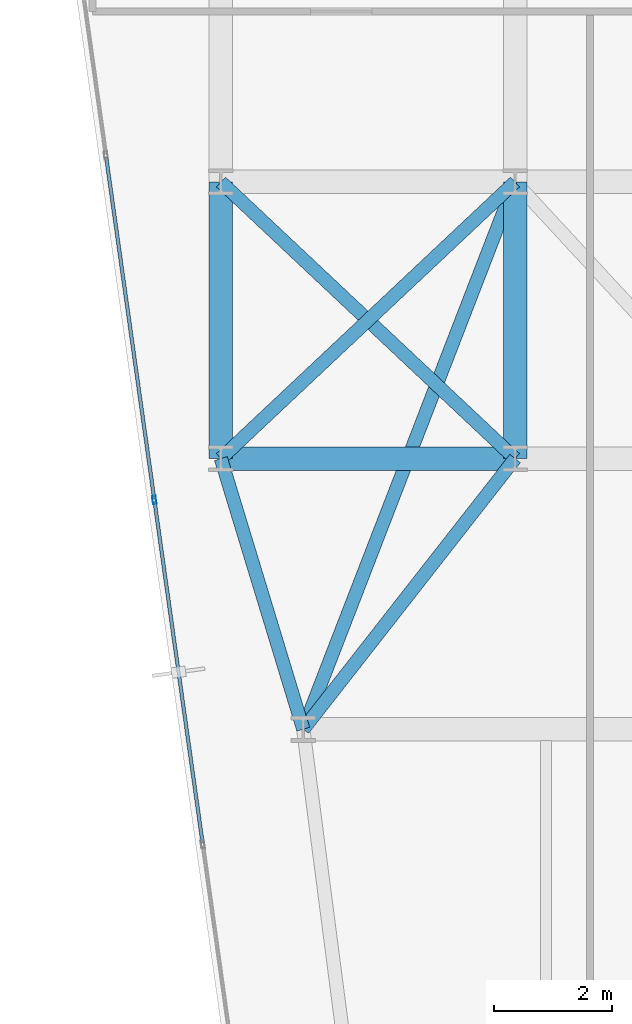
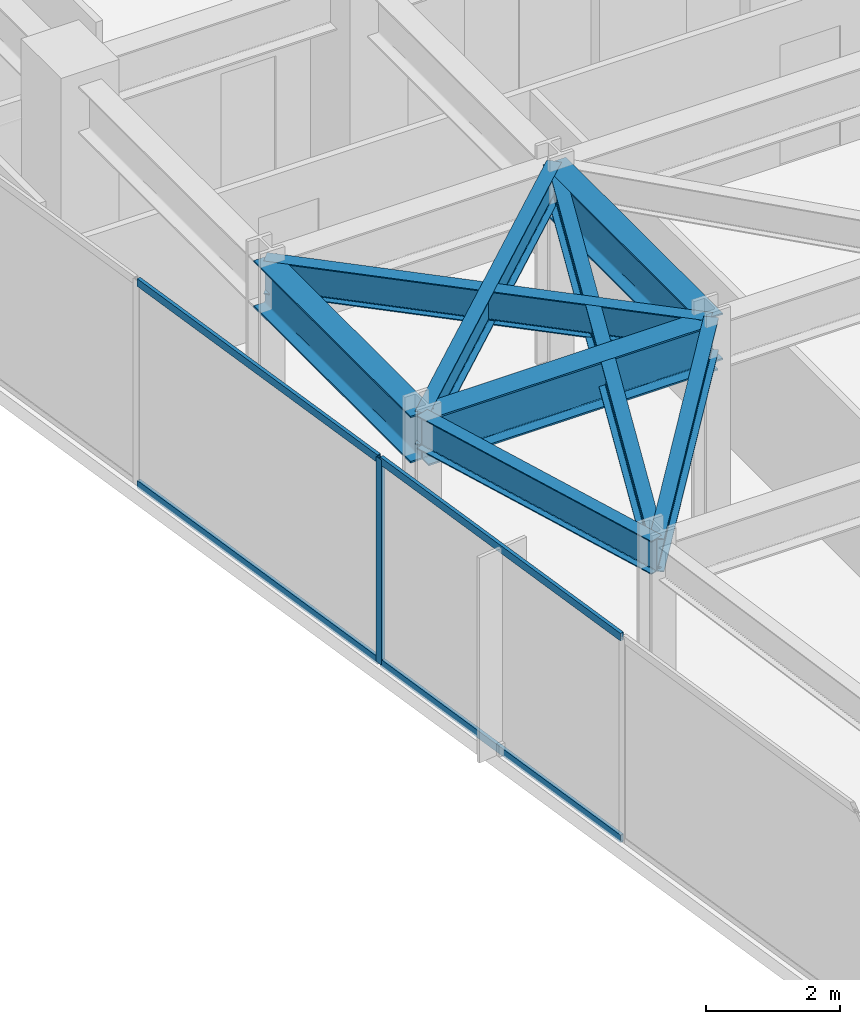
# One storey, part 9 of 26: 8 beams, 5 members, 1 element without a shape of its own.
"""IFC4 building model written with IfcOpenShell, lengths in metres."""

from ifc_helpers import new_model, si_unit, direction, frame, origin, origin_2d, place, context, subcontext, project, spatial, hollow_rectangle, i_section, extrude, material, layer, layer_set, material_profile, profile_set, type_object, element, aggregate, save


model = new_model("IFC4")

# Units and contexts
model_context = context("Model", 3, precision=1e-05, world=origin(), true_north=direction((0.0, 1.0)))
body_context = subcontext(model_context, "Body", "Model", "MODEL_VIEW")
ifc_project = project(units=[si_unit("LENGTHUNIT", "METRE"), si_unit("AREAUNIT", "SQUARE_METRE"), si_unit("VOLUMEUNIT", "CUBIC_METRE"), si_unit("PLANEANGLEUNIT", "RADIAN"), si_unit("MASSUNIT", "GRAM", prefix="KILO")], contexts=[model_context])

# Site, building, storey
site_placement = place(None, origin())
site = spatial("IfcSite", under=ifc_project, at=site_placement, CompositionType="ELEMENT")
building_placement = place(site_placement, origin())
building = spatial("IfcBuilding", under=site, at=building_placement, Name="Kravanh Interchange Tower", CompositionType="ELEMENT")
storey_placement = place(building_placement, frame((0.0, 0.0, 132.0)))
storey = spatial("IfcBuildingStorey", under=building, at=storey_placement, Name="L31", CompositionType="ELEMENT", Elevation=132.0)

# Curtain wall, members
ifc_material_1 = material(Name="Anodised Bronze Aluminium", Category="aluminium")
ifc_layer = layer(ifc_material_1, 0.179931640625)
ifc_layer_set = layer_set([ifc_layer], Name="Unitised Curtain Wall System CW-Z2 Mid Office")
curtain_wall_type = type_object("IfcCurtainWallType", Name="Unitised Curtain Wall System CW-Z2 Mid Office", PredefinedType="NOTDEFINED", material=ifc_layer_set)
curtain_wall_placement = place(storey_placement, origin())
curtain_wall = element("IfcCurtainWall", 1, at=curtain_wall_placement, inside=storey, type_object=curtain_wall_type, Name="L31 Unitised Curtain Wall CW-L31-01", PredefinedType="NOTDEFINED")
ifc_material_2 = material(Name="Anodised Bronze Aluminium", Category="aluminium")
ifc_material_profile_1 = material_profile(ifc_material_2, hollow_rectangle(XDim=0.06005859375, YDim=0.139892578125, WallThickness=0.00390625, at=origin_2d()), Name="ALU60X140X4")
ifc_profile_set_1 = profile_set([ifc_material_profile_1], Name="Anodised Bronze Aluminium")
member_type_1 = type_object("IfcMemberType", Name="Curtain Wall Mullion ALU60X140X4 Bronze", PredefinedType="MULLION", material=ifc_profile_set_1)
member_1_placement = place(storey_placement, frame((12.469970703125, 26.095458984375, 0.0), z_axis=(0.0, 0.0, 1.0), x_axis=(-0.990268103846, -0.13917285118, 0.0)))
member_1 = element("IfcMember", 2, at=member_1_placement, type_object=member_type_1, Name="CW-Z2 mullion 4", PredefinedType="MULLION", context=body_context, shape_type="SweptSolid", body=[
    extrude(hollow_rectangle(XDim=0.06005859375, YDim=0.139892578125, WallThickness=0.00390625, at=origin_2d()), origin(), (0.0, 0.0, 1.0), 3.75),
])
ifc_material_3 = material(Name="Anodised Bronze Aluminium", Category="aluminium")
ifc_material_profile_2 = material_profile(ifc_material_3, hollow_rectangle(XDim=0.06005859375, YDim=0.139892578125, WallThickness=0.00390625, at=origin_2d()), Name="ALU60X140X4")
ifc_profile_set_2 = profile_set([ifc_material_profile_2], Name="Anodised Bronze Aluminium")
member_type_2 = type_object("IfcMemberType", Name="Curtain Wall Transom ALU60X140X4 Bronze", PredefinedType="USERDEFINED", material=ifc_profile_set_2)
member_2_placement = place(storey_placement, frame((13.288330078125, 20.27294921875, 0.030029296875), z_axis=(-0.13918896503, 0.990265839062, 0.0), x_axis=(-0.990265839062, -0.13918896503, 0.0)))
member_2 = element("IfcMember", 3, at=member_2_placement, type_object=member_type_2, Name="CW-Z2 transom 3.1", ObjectType="TRANSOM", PredefinedType="USERDEFINED", context=body_context, shape_type="SweptSolid", body=[
    extrude(hollow_rectangle(XDim=0.06005859375, YDim=0.139892578125, WallThickness=0.00390625, at=origin_2d()), origin(), (0.0, 0.0, 1.0), 5.849609375),
])
member_3_placement = place(storey_placement, frame((13.288330078125, 20.27294921875, 3.719970703125), z_axis=(-0.13918896503, 0.990265839062, 0.0), x_axis=(-0.990265839062, -0.13918896503, 0.0)))
member_3 = element("IfcMember", 4, at=member_3_placement, type_object=member_type_2, Name="CW-Z2 transom 3.2", ObjectType="TRANSOM", PredefinedType="USERDEFINED", context=body_context, shape_type="SweptSolid", body=[
    extrude(hollow_rectangle(XDim=0.06005859375, YDim=0.139892578125, WallThickness=0.00390625, at=origin_2d()), origin(), (0.0, 0.0, 1.0), 5.849609375),
])
member_4_placement = place(storey_placement, frame((12.4658203125, 26.125244140625, 0.030029296875), z_axis=(-0.13918896503, 0.990265839062, 0.0), x_axis=(-0.990265839062, -0.13918896503, 0.0)))
member_4 = element("IfcMember", 5, at=member_4_placement, type_object=member_type_2, Name="CW-Z2 transom 4.1", ObjectType="TRANSOM", PredefinedType="USERDEFINED", context=body_context, shape_type="SweptSolid", body=[
    extrude(hollow_rectangle(XDim=0.06005859375, YDim=0.139892578125, WallThickness=0.00390625, at=origin_2d()), origin(), (0.0, 0.0, 1.0), 5.849609375),
])
member_5_placement = place(storey_placement, frame((12.4658203125, 26.125244140625, 3.719970703125), z_axis=(-0.13918896503, 0.990265839062, 0.0), x_axis=(-0.990265839062, -0.13918896503, 0.0)))
member_5 = element("IfcMember", 6, at=member_5_placement, type_object=member_type_2, Name="CW-Z2 transom 4.2", ObjectType="TRANSOM", PredefinedType="USERDEFINED", context=body_context, shape_type="SweptSolid", body=[
    extrude(hollow_rectangle(XDim=0.06005859375, YDim=0.139892578125, WallThickness=0.00390625, at=origin_2d()), origin(), (0.0, 0.0, 1.0), 5.849609375),
])
aggregate(curtain_wall, [member_1, member_2, member_3, member_4, member_5])

# Beams
ifc_material_4 = material(Name="Structural Steel S355", Category="steel")
ifc_material_profile_3 = material_profile(ifc_material_4, i_section(OverallWidth=0.39990234375, OverallDepth=0.85595703125, WebThickness=0.018310546875, FlangeThickness=0.029296875, FilletRadius=0.02490234375, at=origin_2d()), Name="W33X201")
ifc_profile_set_3 = profile_set([ifc_material_profile_3], Name="Structural Steel S355")
beam_type_1 = type_object("IfcBeamType", Name="Floor Beam W33X201 Structural Steel S355", PredefinedType="BEAM", material=ifc_profile_set_3)
beam_1_placement = place(storey_placement, frame((13.60009765625, 26.800048828125, 3.322021484375), z_axis=(0.0, 1.0, 0.0), x_axis=(-1.0, 0.0, 0.0)))
element("IfcBeam", 7, at=beam_1_placement, inside=storey, type_object=beam_type_1, Name="L31 Primary Floor Girder 37", PredefinedType="BEAM", context=body_context, shape_type="SweptSolid", body=[
    extrude(i_section(OverallWidth=0.39990234375, OverallDepth=0.85595703125, WebThickness=0.018310546875, FlangeThickness=0.029296875, FilletRadius=0.02490234375, at=origin_2d()), origin(), (0.0, 0.0, 1.0), 4.699951171875),
])
beam_2_placement = place(storey_placement, frame((13.60009765625, 26.800048828125, 3.322021484375), z_axis=(1.0, 0.0, 0.0), x_axis=(0.0, 1.0, 0.0)))
element("IfcBeam", 8, at=beam_2_placement, inside=storey, type_object=beam_type_1, Name="L31 Primary Floor Girder 39", PredefinedType="BEAM", context=body_context, shape_type="SweptSolid", body=[
    extrude(i_section(OverallWidth=0.39990234375, OverallDepth=0.85595703125, WebThickness=0.018310546875, FlangeThickness=0.029296875, FilletRadius=0.02490234375, at=origin_2d()), origin(), (0.0, 0.0, 1.0), 5.0),
])
beam_3_placement = place(storey_placement, frame((18.60009765625, 26.800048828125, 3.322021484375), z_axis=(0.0, 1.0, 0.0), x_axis=(-1.0, 0.0, 0.0)))
element("IfcBeam", 9, at=beam_3_placement, inside=storey, type_object=beam_type_1, Name="L31 Primary Floor Girder 41", PredefinedType="BEAM", context=body_context, shape_type="SweptSolid", body=[
    extrude(i_section(OverallWidth=0.39990234375, OverallDepth=0.85595703125, WebThickness=0.018310546875, FlangeThickness=0.029296875, FilletRadius=0.02490234375, at=origin_2d()), origin(), (0.0, 0.0, 1.0), 4.699951171875),
])
ifc_material_5 = material(Name="Structural Steel S355", Category="steel")
ifc_material_profile_4 = material_profile(ifc_material_5, i_section(OverallWidth=0.22802734375, OverallDepth=0.60791015625, WebThickness=0.01123046875, FlangeThickness=0.017333984375, FilletRadius=0.02197265625, at=origin_2d()), Name="W24X76")
ifc_profile_set_4 = profile_set([ifc_material_profile_4], Name="Structural Steel S355")
beam_type_2 = type_object("IfcBeamType", Name="Floor Spandrel W24X76 Structural Steel S355", PredefinedType="SPANDREL", material=ifc_profile_set_4)
beam_4_placement = place(storey_placement, frame((13.60009765625, 26.800048828125, 3.446044921875), z_axis=(0.291137370727, -0.956681259023, 0.0), x_axis=(0.956681259023, 0.291137370727, 0.0)))
element("IfcBeam", 10, at=beam_4_placement, inside=storey, type_object=beam_type_2, Name="L31 Perimeter Spandrel 38", PredefinedType="SPANDREL", context=body_context, shape_type="SweptSolid", body=[
    extrude(i_section(OverallWidth=0.22802734375, OverallDepth=0.60791015625, WebThickness=0.01123046875, FlangeThickness=0.017333984375, FilletRadius=0.02197265625, at=origin_2d()), origin(), (0.0, 0.0, 1.0), 4.808349609375),
])
beam_5_placement = place(storey_placement, frame((13.60009765625, 26.800048828125, 3.446044921875), z_axis=(0.728631219862, 0.684906231131, 0.0), x_axis=(-0.684906231131, 0.728631219862, 0.0)))
element("IfcBeam", 11, at=beam_5_placement, inside=storey, type_object=beam_type_2, Name="L31 Perimeter Spandrel 40", PredefinedType="SPANDREL", context=body_context, shape_type="SweptSolid", body=[
    extrude(i_section(OverallWidth=0.22802734375, OverallDepth=0.60791015625, WebThickness=0.01123046875, FlangeThickness=0.017333984375, FilletRadius=0.02197265625, at=origin_2d()), origin(), (0.0, 0.0, 1.0), 6.862060546875),
])
beam_6_placement = place(storey_placement, frame((18.60009765625, 26.800048828125, 3.446044921875), z_axis=(-0.616310515553, -0.787503237085, 0.0), x_axis=(0.787503237085, -0.616310515553, 0.0)))
element("IfcBeam", 12, at=beam_6_placement, inside=storey, type_object=beam_type_2, Name="L31 Perimeter Spandrel 42", PredefinedType="SPANDREL", context=body_context, shape_type="SweptSolid", body=[
    extrude(i_section(OverallWidth=0.22802734375, OverallDepth=0.60791015625, WebThickness=0.01123046875, FlangeThickness=0.017333984375, FilletRadius=0.02197265625, at=origin_2d()), origin(), (0.0, 0.0, 1.0), 5.84130859375),
])
beam_7_placement = place(storey_placement, frame((18.60009765625, 26.800048828125, 3.446044921875), z_axis=(-0.728631219862, 0.684906231131, 0.0), x_axis=(-0.684906231131, -0.728631219862, 0.0)))
element("IfcBeam", 13, at=beam_7_placement, inside=storey, type_object=beam_type_2, Name="L31 Perimeter Spandrel 43", PredefinedType="SPANDREL", context=body_context, shape_type="SweptSolid", body=[
    extrude(i_section(OverallWidth=0.22802734375, OverallDepth=0.60791015625, WebThickness=0.01123046875, FlangeThickness=0.017333984375, FilletRadius=0.02197265625, at=origin_2d()), origin(), (0.0, 0.0, 1.0), 6.862060546875),
])
beam_8_placement = place(storey_placement, frame((18.60009765625, 31.5, 3.446044921875), z_axis=(-0.3610009706, -0.932565439648, 0.0), x_axis=(0.932565439648, -0.3610009706, 0.0)))
element("IfcBeam", 14, at=beam_8_placement, inside=storey, type_object=beam_type_2, Name="L31 Perimeter Spandrel 72", PredefinedType="SPANDREL", context=body_context, shape_type="SweptSolid", body=[
    extrude(i_section(OverallWidth=0.22802734375, OverallDepth=0.60791015625, WebThickness=0.01123046875, FlangeThickness=0.017333984375, FilletRadius=0.02197265625, at=origin_2d()), origin(), (0.0, 0.0, 1.0), 9.97265625),
])

save(model, "model.ifc")
